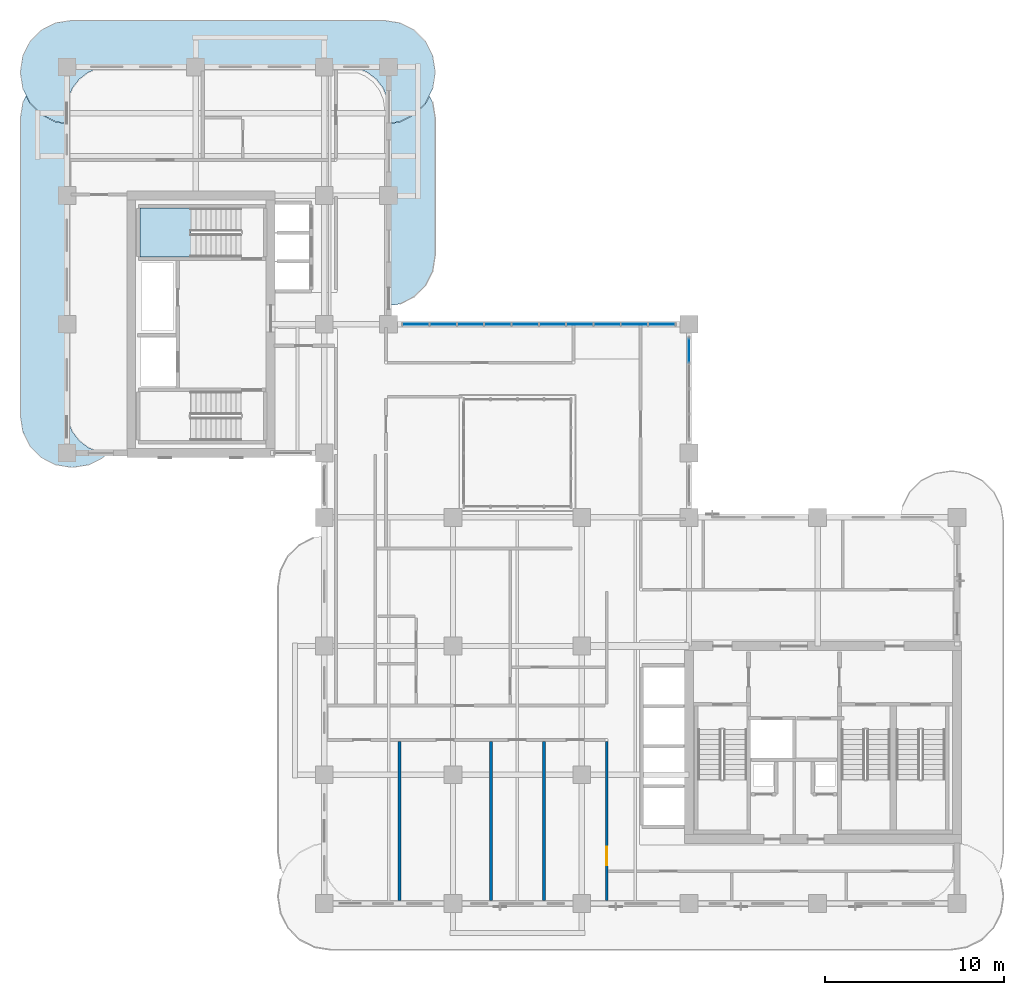
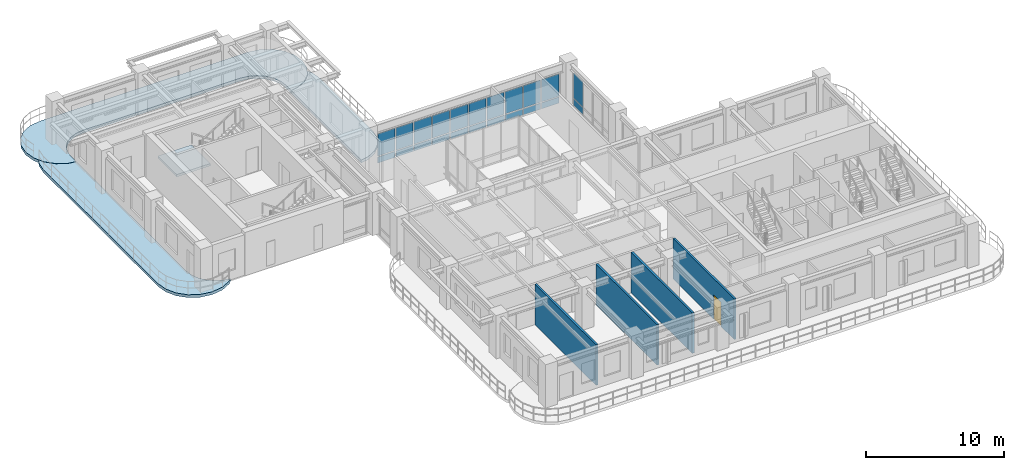
# One storey, part 10 of 21: 22 plates, 4 slabs, 4 walls, 1 door, 1 opening, 3 elements without a shape of their own.
"""IFC4 building model written with IfcOpenShell, lengths in metres."""

from ifc_helpers import new_model, si_unit, derived_unit, direction, frame, frame_2d, origin, origin_2d, place, context, subcontext, project, spatial, polyline, rectangle, outline, extrude, source, transform, mapped, material, layer, layer_set, type_object, type_shapes, element, fill, aggregate, save


model = new_model("IFC4")

# Units and contexts
model_context = context("Model", 3, precision=1e-05, world=origin(), true_north=direction((0.0, 1.0)))
body_context = subcontext(model_context, "Body", "Model", "MODEL_VIEW")
ifc_project = project(units=[si_unit("LENGTHUNIT", "METRE"), si_unit("AREAUNIT", "SQUARE_METRE"), si_unit("VOLUMEUNIT", "CUBIC_METRE"), si_unit("PLANEANGLEUNIT", "RADIAN"), si_unit("MASSUNIT", "GRAM", prefix="KILO"), si_unit("THERMODYNAMICTEMPERATUREUNIT", "KELVIN"), si_unit("POWERUNIT", "WATT"), derived_unit("THERMALTRANSMITTANCEUNIT", [(si_unit("POWERUNIT", "WATT"), 1), (si_unit("AREAUNIT", "SQUARE_METRE"), -1), (si_unit("THERMODYNAMICTEMPERATUREUNIT", "KELVIN"), -1)])], contexts=[model_context])

# Site, building, storey
site_placement = place(None, origin())
site = spatial("IfcSite", under=ifc_project, at=site_placement, CompositionType="ELEMENT")
building_placement = place(site_placement, origin())
building = spatial("IfcBuilding", under=site, at=building_placement, Name="Zahravan Archway Hotel and Residences", CompositionType="ELEMENT")
storey_placement = place(building_placement, frame((0.0, 0.0, 169.550048828125)))
storey = spatial("IfcBuildingStorey", under=building, at=storey_placement, Name="L42", CompositionType="ELEMENT", Elevation=169.550048828125)

# Slabs
ifc_material_1 = material(Name="Concrete C45/55", Category="concrete")
ifc_layer_1 = layer(ifc_material_1, 0.25, Name="Concrete C45/55", Category="concrete")
ifc_layer_set_1 = layer_set([ifc_layer_1], Name="Concrete C45/55")
slab_type_1 = type_object("IfcSlabType", Name="SLB-BALC-250", PredefinedType="FLOOR", material=ifc_layer_set_1)
slab_1_placement = place(storey_placement, frame((0.0, 0.0, -0.25)))
element("IfcSlab", 1, at=slab_1_placement, inside=storey, type_object=slab_type_1, Name="L42 Wing B North Rounded Balcony Band", PredefinedType="FLOOR", context=body_context, shape_type="SweptSolid", body=[
    extrude(outline(polyline([(-0.630615234375, 43.739501953125), (-1.42529296875, 44.144287109375), (-2.0556640625, 44.77490234375), (-2.46044921875, 45.5693359375), (-2.60009765625, 46.449951171875), (-2.60009765625, 46.550048828125), (-2.46044921875, 47.4306640625), (-2.0556640625, 48.22509765625), (-1.42529296875, 48.855712890625), (-0.630615234375, 49.260498046875), (0.25, 49.39990234375), (17.75, 49.39990234375), (18.630615234375, 49.260498046875), (19.42529296875, 48.855712890625), (20.0556640625, 48.22509765625), (20.46044921875, 47.4306640625), (20.60009765625, 46.550048828125), (20.60009765625, 46.449951171875), (20.46044921875, 45.5693359375), (20.0556640625, 44.77490234375), (19.42529296875, 44.144287109375), (18.630615234375, 43.739501953125), (18.02001953125, 43.642822265625), (18.02001953125, 44.39990234375), (18.019775390625, 44.402587890625), (17.93798828125, 45.023681640625), (17.937744140625, 45.025390625), (17.937255859375, 45.027099609375), (17.936767578125, 45.02880859375), (17.697021484375, 45.607666015625), (17.6962890625, 45.609130859375), (17.6953125, 45.610595703125), (17.6943359375, 45.6123046875), (17.31298828125, 46.109375), (17.311767578125, 46.110595703125), (17.310546875, 46.11181640625), (17.309326171875, 46.113037109375), (16.812255859375, 46.494384765625), (16.810791015625, 46.495361328125), (16.80908203125, 46.49609375), (16.8076171875, 46.4970703125), (16.22900390625, 46.73681640625), (16.227294921875, 46.7373046875), (16.2255859375, 46.73779296875), (16.223876953125, 46.738037109375), (15.6025390625, 46.81982421875), (15.60009765625, 46.820068359375), (2.39990234375, 46.820068359375), (2.3974609375, 46.81982421875), (1.776123046875, 46.738037109375), (1.7744140625, 46.73779296875), (1.772705078125, 46.7373046875), (1.77099609375, 46.73681640625), (1.1923828125, 46.4970703125), (1.19091796875, 46.49609375), (1.189208984375, 46.495361328125), (1.187744140625, 46.494384765625), (0.690673828125, 46.113037109375), (0.689453125, 46.11181640625), (0.688232421875, 46.110595703125), (0.68701171875, 46.109375), (0.3056640625, 45.6123046875), (0.3046875, 45.610595703125), (0.3037109375, 45.609130859375), (0.302978515625, 45.607666015625), (0.063232421875, 45.02880859375), (0.062744140625, 45.027099609375), (0.062255859375, 45.025390625), (0.06201171875, 45.023681640625), (-0.019775390625, 44.402587890625), (-0.02001953125, 44.39990234375), (-0.02001953125, 43.642822265625), (-0.630615234375, 43.739501953125)])), origin(), (0.0, 0.0, 1.0), 0.25),
])
slab_2_placement = place(storey_placement, frame((0.0, 0.0, -0.25)))
element("IfcSlab", 2, at=slab_2_placement, inside=storey, type_object=slab_type_1, Name="L42 Wing B West Rounded Balcony Band", PredefinedType="FLOOR", context=body_context, shape_type="SweptSolid", body=[
    extrude(outline(polyline([(2.025146484375, 24.9443359375), (1.230712890625, 24.53955078125), (0.35009765625, 24.39990234375), (0.25, 24.39990234375), (-0.630615234375, 24.53955078125), (-1.42529296875, 24.9443359375), (-2.0556640625, 25.57470703125), (-2.46044921875, 26.369384765625), (-2.60009765625, 27.25), (-2.60009765625, 43.949951171875), (-2.46044921875, 44.830810546875), (-2.28369140625, 45.177978515625), (-2.073486328125, 44.765625), (-2.072509765625, 44.763916015625), (-2.0712890625, 44.76220703125), (-2.06982421875, 44.7607421875), (-1.439208984375, 44.130126953125), (-1.437744140625, 44.12890625), (-1.43603515625, 44.12744140625), (-1.434326171875, 44.12646484375), (-0.639892578125, 43.7216796875), (-0.637939453125, 43.720703125), (-0.635986328125, 43.72021484375), (-0.6337890625, 43.7197265625), (-0.023193359375, 43.623046875), (-0.021240234375, 43.622802734375), (-0.02001953125, 43.622802734375), (-0.02001953125, 27.60009765625), (-0.019775390625, 27.597412109375), (0.06201171875, 26.976318359375), (0.062255859375, 26.974609375), (0.062744140625, 26.972900390625), (0.063232421875, 26.97119140625), (0.302978515625, 26.392333984375), (0.3037109375, 26.390869140625), (0.3046875, 26.389404296875), (0.3056640625, 26.3876953125), (0.68701171875, 25.890625), (0.688232421875, 25.889404296875), (0.689453125, 25.88818359375), (0.690673828125, 25.886962890625), (1.187744140625, 25.505615234375), (1.189208984375, 25.504638671875), (1.19091796875, 25.50390625), (1.1923828125, 25.5029296875), (1.77099609375, 25.26318359375), (1.772705078125, 25.2626953125), (1.7744140625, 25.26220703125), (1.776123046875, 25.261962890625), (2.27685546875, 25.196044921875), (2.025146484375, 24.9443359375)])), origin(), (0.0, 0.0, 1.0), 0.25),
])
slab_3_placement = place(storey_placement, frame((0.0, 0.0, -0.25)))
element("IfcSlab", 3, at=slab_3_placement, inside=storey, type_object=slab_type_1, Name="L42 Wing B East Rounded Balcony Band", PredefinedType="FLOOR", context=body_context, shape_type="SweptSolid", body=[
    extrude(outline(polyline([(20.46044921875, 44.830810546875), (20.60009765625, 43.949951171875), (20.60009765625, 36.25), (20.46044921875, 35.369384765625), (20.0556640625, 34.57470703125), (19.42529296875, 33.9443359375), (18.630615234375, 33.53955078125), (18.02001953125, 33.44287109375), (18.02001953125, 43.622802734375), (18.021240234375, 43.622802734375), (18.023193359375, 43.623046875), (18.6337890625, 43.7197265625), (18.635986328125, 43.72021484375), (18.637939453125, 43.720703125), (18.639892578125, 43.7216796875), (19.434326171875, 44.12646484375), (19.43603515625, 44.12744140625), (19.437744140625, 44.12890625), (19.439208984375, 44.130126953125), (20.06982421875, 44.7607421875), (20.0712890625, 44.76220703125), (20.072509765625, 44.763916015625), (20.073486328125, 44.765625), (20.28369140625, 45.177978515625), (20.46044921875, 44.830810546875)])), origin(), (0.0, 0.0, 1.0), 0.25),
])

# Stair, slab
ifc_material_2 = material(Name="Concrete C50/60", Category="concrete")
stair_type = type_object("IfcStairType", Name="STR-CORE-1300", PredefinedType="HALF_TURN_STAIR", material=ifc_material_2)
stair_placement = place(storey_placement, origin())
stair = element("IfcStair", 4, at=stair_placement, inside=storey, type_object=stair_type, Name="L42 Core B Exit Stair 2", PredefinedType="HALF_TURN_STAIR")
ifc_layer_2 = layer(ifc_material_2, 0.199951171875, Name="Concrete C50/60", Category="concrete")
ifc_layer_set_2 = layer_set([ifc_layer_2], Name="Concrete C50/60")
slab_type_2 = type_object("IfcSlabType", Name="SLB-LND-200", PredefinedType="LANDING", material=ifc_layer_set_2)
slab_4_placement = place(storey_placement, frame((0.0, 0.0, 1.724853515625)))
slab_4 = element("IfcSlab", 5, at=slab_4_placement, type_object=slab_type_2, Name="ST-B2 landing 1", PredefinedType="LANDING", context=body_context, shape_type="SweptSolid", body=[
    extrude(outline(polyline([(6.929931640625, 38.89990234375), (4.10009765625, 38.89990234375), (4.10009765625, 36.159912109375), (6.929931640625, 36.159912109375), (6.929931640625, 38.89990234375)])), origin(), (0.0, 0.0, 1.0), 0.2001953125),
])
aggregate(stair, [slab_4])

# Curtain wall, plates
ifc_material_3 = material(Name="Bronze-Anodized Unitised Aluminium & Low-E Glass", Category="aluminium")
ifc_layer_3 = layer(ifc_material_3, 0.179931640625, Name="Bronze-Anodized Unitised Aluminium & Low-E Glass", Category="aluminium")
ifc_layer_set_3 = layer_set([ifc_layer_3], Name="Bronze-Anodized Unitised Aluminium & Low-E Glass")
curtain_wall_type = type_object("IfcCurtainWallType", Name="CW-ATR-GLAZ", PredefinedType="NOTDEFINED", material=ifc_layer_set_3)
curtain_wall_1_placement = place(storey_placement, origin())
curtain_wall_1 = element("IfcCurtainWall", 6, at=curtain_wall_1_placement, inside=storey, type_object=curtain_wall_type, Name="L42 Curtain Wall CW-L42-HNG-N-1", PredefinedType="NOTDEFINED")
ifc_material_4 = material(Name="Insulated Terracotta Spandrel Panel", Category="masonry")
ifc_layer_4 = layer(ifc_material_4, 0.0400390625, Name="Insulated Terracotta Spandrel Panel", Category="masonry")
ifc_layer_set_4 = layer_set([ifc_layer_4], Name="Insulated Terracotta Spandrel Panel")
plate_type_1 = type_object("IfcPlateType", Name="CWP-SPN-40", PredefinedType="SHEET", material=ifc_layer_set_4)
shared_shape_1 = source(origin(), body_context, "Body", "SweptSolid", [
    extrude(rectangle(XDim=1.447998046875, YDim=0.0400390625, at=origin_2d()), origin(), (0.0, 0.0, 1.0), 0.5283203125),
])
plate_1_placement = place(storey_placement, frame((19.52392578125, 32.39990234375, 0.10009765625), z_axis=(0.0, 0.0, 1.0), x_axis=(1.0, 0.0, 0.0)))
plate_1 = element("IfcPlate", 7, at=plate_1_placement, type_object=plate_type_1, Name="CW-L42-HNG-N-1 Spandrel Panel 0", PredefinedType="SHEET", context=body_context, shape_type="MappedRepresentation", body=[
    mapped(shared_shape_1, transform((0.0, 0.0, 0.0), scale=1.0)),
])
plate_2_placement = place(storey_placement, frame((21.052001953125, 32.39990234375, 0.10009765625), z_axis=(0.0, 0.0, 1.0), x_axis=(1.0, 0.0, 0.0)))
plate_2 = element("IfcPlate", 8, at=plate_2_placement, type_object=plate_type_1, Name="CW-L42-HNG-N-1 Spandrel Panel 1", PredefinedType="SHEET", context=body_context, shape_type="MappedRepresentation", body=[
    mapped(shared_shape_1, transform((0.0, 0.0, 0.0), scale=1.0)),
])
plate_3_placement = place(storey_placement, frame((22.580078125, 32.39990234375, 0.10009765625), z_axis=(0.0, 0.0, 1.0), x_axis=(1.0, 0.0, 0.0)))
plate_3 = element("IfcPlate", 9, at=plate_3_placement, type_object=plate_type_1, Name="CW-L42-HNG-N-1 Spandrel Panel 2", PredefinedType="SHEET", context=body_context, shape_type="MappedRepresentation", body=[
    mapped(shared_shape_1, transform((0.0, 0.0, 0.0), scale=1.0)),
])
plate_4_placement = place(storey_placement, frame((24.10791015625, 32.39990234375, 0.10009765625), z_axis=(0.0, 0.0, 1.0), x_axis=(1.0, 0.0, 0.0)))
plate_4 = element("IfcPlate", 10, at=plate_4_placement, type_object=plate_type_1, Name="CW-L42-HNG-N-1 Spandrel Panel 3", PredefinedType="SHEET", context=body_context, shape_type="MappedRepresentation", body=[
    mapped(shared_shape_1, transform((0.0, 0.0, 0.0), scale=1.0)),
])
plate_5_placement = place(storey_placement, frame((25.635986328125, 32.39990234375, 0.10009765625), z_axis=(0.0, 0.0, 1.0), x_axis=(1.0, 0.0, 0.0)))
plate_5 = element("IfcPlate", 11, at=plate_5_placement, type_object=plate_type_1, Name="CW-L42-HNG-N-1 Spandrel Panel 4", PredefinedType="SHEET", context=body_context, shape_type="MappedRepresentation", body=[
    mapped(shared_shape_1, transform((0.0, 0.0, 0.0), scale=1.0)),
])
plate_6_placement = place(storey_placement, frame((27.1640625, 32.39990234375, 0.10009765625), z_axis=(0.0, 0.0, 1.0), x_axis=(1.0, 0.0, 0.0)))
plate_6 = element("IfcPlate", 12, at=plate_6_placement, type_object=plate_type_1, Name="CW-L42-HNG-N-1 Spandrel Panel 5", PredefinedType="SHEET", context=body_context, shape_type="MappedRepresentation", body=[
    mapped(shared_shape_1, transform((0.0, 0.0, 0.0), scale=1.0)),
])
plate_7_placement = place(storey_placement, frame((28.69189453125, 32.39990234375, 0.10009765625), z_axis=(0.0, 0.0, 1.0), x_axis=(1.0, 0.0, 0.0)))
plate_7 = element("IfcPlate", 13, at=plate_7_placement, type_object=plate_type_1, Name="CW-L42-HNG-N-1 Spandrel Panel 6", PredefinedType="SHEET", context=body_context, shape_type="MappedRepresentation", body=[
    mapped(shared_shape_1, transform((0.0, 0.0, 0.0), scale=1.0)),
])
plate_8_placement = place(storey_placement, frame((30.219970703125, 32.39990234375, 0.10009765625), z_axis=(0.0, 0.0, 1.0), x_axis=(1.0, 0.0, 0.0)))
plate_8 = element("IfcPlate", 14, at=plate_8_placement, type_object=plate_type_1, Name="CW-L42-HNG-N-1 Spandrel Panel 7", PredefinedType="SHEET", context=body_context, shape_type="MappedRepresentation", body=[
    mapped(shared_shape_1, transform((0.0, 0.0, 0.0), scale=1.0)),
])
plate_9_placement = place(storey_placement, frame((31.748046875, 32.39990234375, 0.10009765625), z_axis=(0.0, 0.0, 1.0), x_axis=(1.0, 0.0, 0.0)))
plate_9 = element("IfcPlate", 15, at=plate_9_placement, type_object=plate_type_1, Name="CW-L42-HNG-N-1 Spandrel Panel 8", PredefinedType="SHEET", context=body_context, shape_type="MappedRepresentation", body=[
    mapped(shared_shape_1, transform((0.0, 0.0, 0.0), scale=1.0)),
])
plate_10_placement = place(storey_placement, frame((33.27587890625, 32.39990234375, 0.10009765625), z_axis=(0.0, 0.0, 1.0), x_axis=(1.0, 0.0, 0.0)))
plate_10 = element("IfcPlate", 16, at=plate_10_placement, type_object=plate_type_1, Name="CW-L42-HNG-N-1 Spandrel Panel 9", PredefinedType="SHEET", context=body_context, shape_type="MappedRepresentation", body=[
    mapped(shared_shape_1, transform((0.0, 0.0, 0.0), scale=1.0)),
])
ifc_material_5 = material(Name="Double-Silver Low-E Insulated Vision Glass", Category="glass")
ifc_layer_5 = layer(ifc_material_5, 0.028076171875, Name="Double-Silver Low-E Insulated Vision Glass", Category="glass")
ifc_layer_set_5 = layer_set([ifc_layer_5], Name="Double-Silver Low-E Insulated Vision Glass")
plate_type_2 = type_object("IfcPlateType", Name="CWP-GLZ-28", PredefinedType="CURTAIN_PANEL", material=ifc_layer_set_5)
shared_shape_2 = source(origin(), body_context, "Body", "SweptSolid", [
    extrude(rectangle(XDim=1.447998046875, YDim=0.028076171875, at=origin_2d()), origin(), (0.0, 0.0, 1.0), 1.9765625),
])
plate_11_placement = place(storey_placement, frame((19.52392578125, 32.39990234375, 0.708251953125), z_axis=(0.0, 0.0, 1.0), x_axis=(1.0, 0.0, 0.0)))
plate_11 = element("IfcPlate", 17, at=plate_11_placement, type_object=plate_type_2, Name="CW-L42-HNG-N-1 Low-E Vision Panel 0", PredefinedType="CURTAIN_PANEL", context=body_context, shape_type="MappedRepresentation", body=[
    mapped(shared_shape_2, transform((0.0, 0.0, 0.0), scale=1.0)),
])
plate_12_placement = place(storey_placement, frame((21.052001953125, 32.39990234375, 0.708251953125), z_axis=(0.0, 0.0, 1.0), x_axis=(1.0, 0.0, 0.0)))
plate_12 = element("IfcPlate", 18, at=plate_12_placement, type_object=plate_type_2, Name="CW-L42-HNG-N-1 Low-E Vision Panel 1", PredefinedType="CURTAIN_PANEL", context=body_context, shape_type="MappedRepresentation", body=[
    mapped(shared_shape_2, transform((0.0, 0.0, 0.0), scale=1.0)),
])
plate_13_placement = place(storey_placement, frame((22.580078125, 32.39990234375, 0.708251953125), z_axis=(0.0, 0.0, 1.0), x_axis=(1.0, 0.0, 0.0)))
plate_13 = element("IfcPlate", 19, at=plate_13_placement, type_object=plate_type_2, Name="CW-L42-HNG-N-1 Low-E Vision Panel 2", PredefinedType="CURTAIN_PANEL", context=body_context, shape_type="MappedRepresentation", body=[
    mapped(shared_shape_2, transform((0.0, 0.0, 0.0), scale=1.0)),
])
plate_14_placement = place(storey_placement, frame((24.10791015625, 32.39990234375, 0.708251953125), z_axis=(0.0, 0.0, 1.0), x_axis=(1.0, 0.0, 0.0)))
plate_14 = element("IfcPlate", 20, at=plate_14_placement, type_object=plate_type_2, Name="CW-L42-HNG-N-1 Low-E Vision Panel 3", PredefinedType="CURTAIN_PANEL", context=body_context, shape_type="MappedRepresentation", body=[
    mapped(shared_shape_2, transform((0.0, 0.0, 0.0), scale=1.0)),
])
plate_15_placement = place(storey_placement, frame((25.635986328125, 32.39990234375, 0.708251953125), z_axis=(0.0, 0.0, 1.0), x_axis=(1.0, 0.0, 0.0)))
plate_15 = element("IfcPlate", 21, at=plate_15_placement, type_object=plate_type_2, Name="CW-L42-HNG-N-1 Low-E Vision Panel 4", PredefinedType="CURTAIN_PANEL", context=body_context, shape_type="MappedRepresentation", body=[
    mapped(shared_shape_2, transform((0.0, 0.0, 0.0), scale=1.0)),
])
plate_16_placement = place(storey_placement, frame((27.1640625, 32.39990234375, 0.708251953125), z_axis=(0.0, 0.0, 1.0), x_axis=(1.0, 0.0, 0.0)))
plate_16 = element("IfcPlate", 22, at=plate_16_placement, type_object=plate_type_2, Name="CW-L42-HNG-N-1 Low-E Vision Panel 5", PredefinedType="CURTAIN_PANEL", context=body_context, shape_type="MappedRepresentation", body=[
    mapped(shared_shape_2, transform((0.0, 0.0, 0.0), scale=1.0)),
])
plate_17_placement = place(storey_placement, frame((28.69189453125, 32.39990234375, 0.708251953125), z_axis=(0.0, 0.0, 1.0), x_axis=(1.0, 0.0, 0.0)))
plate_17 = element("IfcPlate", 23, at=plate_17_placement, type_object=plate_type_2, Name="CW-L42-HNG-N-1 Low-E Vision Panel 6", PredefinedType="CURTAIN_PANEL", context=body_context, shape_type="MappedRepresentation", body=[
    mapped(shared_shape_2, transform((0.0, 0.0, 0.0), scale=1.0)),
])
plate_18_placement = place(storey_placement, frame((30.219970703125, 32.39990234375, 0.708251953125), z_axis=(0.0, 0.0, 1.0), x_axis=(1.0, 0.0, 0.0)))
plate_18 = element("IfcPlate", 24, at=plate_18_placement, type_object=plate_type_2, Name="CW-L42-HNG-N-1 Low-E Vision Panel 7", PredefinedType="CURTAIN_PANEL", context=body_context, shape_type="MappedRepresentation", body=[
    mapped(shared_shape_2, transform((0.0, 0.0, 0.0), scale=1.0)),
])
plate_19_placement = place(storey_placement, frame((31.748046875, 32.39990234375, 0.708251953125), z_axis=(0.0, 0.0, 1.0), x_axis=(1.0, 0.0, 0.0)))
plate_19 = element("IfcPlate", 25, at=plate_19_placement, type_object=plate_type_2, Name="CW-L42-HNG-N-1 Low-E Vision Panel 8", PredefinedType="CURTAIN_PANEL", context=body_context, shape_type="MappedRepresentation", body=[
    mapped(shared_shape_2, transform((0.0, 0.0, 0.0), scale=1.0)),
])
plate_20_placement = place(storey_placement, frame((33.27587890625, 32.39990234375, 0.708251953125), z_axis=(0.0, 0.0, 1.0), x_axis=(1.0, 0.0, 0.0)))
plate_20 = element("IfcPlate", 26, at=plate_20_placement, type_object=plate_type_2, Name="CW-L42-HNG-N-1 Low-E Vision Panel 9", PredefinedType="CURTAIN_PANEL", context=body_context, shape_type="MappedRepresentation", body=[
    mapped(shared_shape_2, transform((0.0, 0.0, 0.0), scale=1.0)),
])
aggregate(curtain_wall_1, [plate_1, plate_11, plate_2, plate_12, plate_3, plate_13, plate_4, plate_14, plate_5, plate_15, plate_6, plate_16, plate_7, plate_17, plate_8, plate_18, plate_9, plate_19, plate_10, plate_20])

curtain_wall_2_placement = place(storey_placement, origin())
curtain_wall_2 = element("IfcCurtainWall", 27, at=curtain_wall_2_placement, inside=storey, type_object=curtain_wall_type, Name="L42 Curtain Wall CW-L42-HNG-E-2", PredefinedType="NOTDEFINED")
shared_shape_3 = source(origin(), body_context, "Body", "SweptSolid", [
    extrude(rectangle(XDim=1.340087890625, YDim=0.0400390625, at=origin_2d()), origin(), (0.0, 0.0, 1.0), 0.600341796875),
])
plate_21_placement = place(storey_placement, frame((34.800048828125, 30.929931640625, 0.10009765625), z_axis=(0.0, 0.0, 1.0), x_axis=(0.0, 1.0, 0.0)))
plate_21 = element("IfcPlate", 28, at=plate_21_placement, type_object=plate_type_1, Name="CW-L42-HNG-E-2 Spandrel Panel 3", PredefinedType="SHEET", context=body_context, shape_type="MappedRepresentation", body=[
    mapped(shared_shape_3, transform((0.0, 0.0, 0.0), scale=1.0)),
])
shared_shape_4 = source(origin(), body_context, "Body", "SweptSolid", [
    extrude(rectangle(XDim=1.340087890625, YDim=0.028076171875, at=origin_2d()), origin(), (0.0, 0.0, 1.0), 2.20458984375),
])
plate_22_placement = place(storey_placement, frame((34.800048828125, 30.929931640625, 0.7802734375), z_axis=(0.0, 0.0, 1.0), x_axis=(0.0, 1.0, 0.0)))
plate_22 = element("IfcPlate", 29, at=plate_22_placement, type_object=plate_type_2, Name="CW-L42-HNG-E-2 Low-E Vision Panel 3", PredefinedType="CURTAIN_PANEL", context=body_context, shape_type="MappedRepresentation", body=[
    mapped(shared_shape_4, transform((0.0, 0.0, 0.0), scale=1.0)),
])
aggregate(curtain_wall_2, [plate_21, plate_22])

# Wall, opening, door
ifc_material_6 = material(Name="Fire-Rated Gypsum & Concrete Block", Category="concrete")
ifc_layer_6 = layer(ifc_material_6, 0.159912109375, Name="Fire-Rated Gypsum & Concrete Block", Category="concrete")
ifc_layer_set_6 = layer_set([ifc_layer_6], Name="Fire-Rated Gypsum & Concrete Block")
wall_type_1 = type_object("IfcWallType", Name="PW-CORR-160", PredefinedType="PARTITIONING", material=ifc_layer_set_6)
wall_placement = place(storey_placement, frame((30.199951171875, 0.16796875, 0.0), z_axis=(0.0, 0.0, 1.0), x_axis=(0.0, 1.0, 0.0)))
wall = element("IfcWall", 30, at=wall_placement, inside=storey, type_object=wall_type_1, Name="L42 Partition WA-SRW", PredefinedType="PARTITIONING", context=body_context, shape_type="SweptSolid", body=[
    extrude(rectangle(XDim=8.89208984375, YDim=0.159912109375, at=frame_2d((4.446044921875, 0.0))), origin(), (0.0, 0.0, 1.0), 3.599853515625),
])
opening_placement = place(wall_placement, frame((1.95703125, 0.0, 0.0)))
opening = element("IfcOpeningElement", 31, at=opening_placement, cuts=wall, Name="Opening FD-L2", PredefinedType="OPENING", context=body_context, shape_type="SweptSolid", body=[
    extrude(rectangle(XDim=1.050048828125, YDim=2.14990234375, at=frame_2d((0.52490234375, 1.074951171875))), frame((0.0, 0.08984375, 0.0), z_axis=(0.0, -1.0, 0.0), x_axis=(1.0, 0.0, 0.0)), (0.0, 0.0, 1.0), 0.179931640625),
])
ifc_material_7 = material(Name="Fire-Rated Painted Steel", Category="steel")
door_type = type_object("IfcDoorType", Name="FD-LOBBY-1100", OperationType="NOTDEFINED", PredefinedType="DOOR", material=ifc_material_7)
shared_shape_5 = source(origin(), body_context, "Body", "SweptSolid", [
    extrude(rectangle(XDim=1.050048828125, YDim=2.14990234375, at=frame_2d((0.52490234375, 1.074951171875))), frame((0.0, 0.02490234375, 0.0), z_axis=(0.0, -1.0, 0.0), x_axis=(1.0, 0.0, 0.0)), (0.0, 0.0, 1.0), 0.050048828125),
])
type_shapes(door_type, [shared_shape_5])
door_placement = place(opening_placement, origin())
door = element("IfcDoor", 32, at=door_placement, inside=storey, type_object=door_type, Name="L42 South Riser Corridor Door", OperationType="SINGLE_SWING_RIGHT", OverallHeight=2.14990234375, OverallWidth=1.050048828125, PredefinedType="DOOR", context=body_context, shape_type="MappedRepresentation", body=[
    mapped(shared_shape_5, transform((0.0, 0.0, 0.0), scale=1.0)),
])
fill(opening, door)

# Walls
ifc_material_8 = material(Name="Acoustic Stud Partition")
ifc_layer_7 = layer(ifc_material_8, 0.169921875, Name="Acoustic Stud Partition")
ifc_layer_set_7 = layer_set([ifc_layer_7], Name="Acoustic Stud Partition")
wall_type_2 = type_object("IfcWallType", Name="PW-UNIT-170", PredefinedType="PARTITIONING", material=ifc_layer_set_7)
for number, where, z_axis, x_axis, name in (
    (33, (18.60009765625, 0.16796875, 0.0), (0.0, 0.0, 1.0), (0.0, 1.0, 0.0), "L42 Partition WAS-DA2-1"),
    (34, (23.719970703125, 0.16796875, 0.0), (0.0, 0.0, 1.0), (0.0, 1.0, 0.0), "L42 Partition WAS-DA2-2"),
    (35, (26.679931640625, 0.16796875, 0.0), (0.0, 0.0, 1.0), (0.0, 1.0, 0.0), "L42 Partition WAS-DA2-3"),
):
    element("IfcWall", number, at=place(storey_placement, frame(where, z_axis=z_axis, x_axis=x_axis)), inside=storey, type_object=wall_type_2, Name=name, PredefinedType="PARTITIONING", context=body_context, shape_type="SweptSolid", body=[
        extrude(rectangle(XDim=8.89208984375, YDim=0.169921875, at=frame_2d((4.446044921875, 0.0))), origin(), (0.0, 0.0, 1.0), 3.599853515625),
    ])

save(model, "model.ifc")
